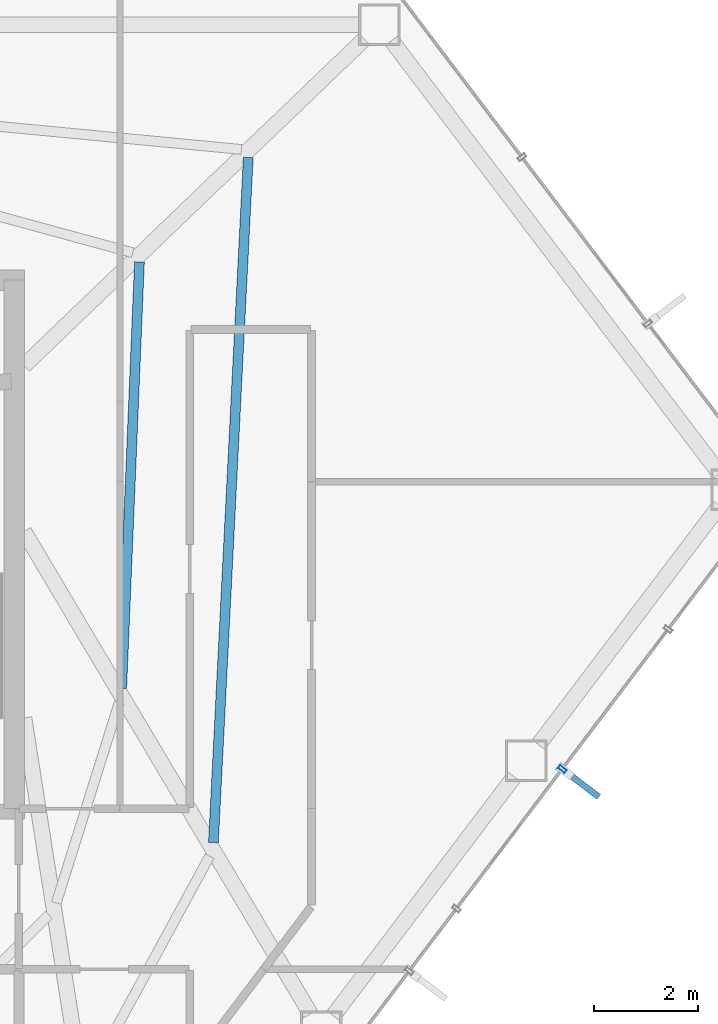
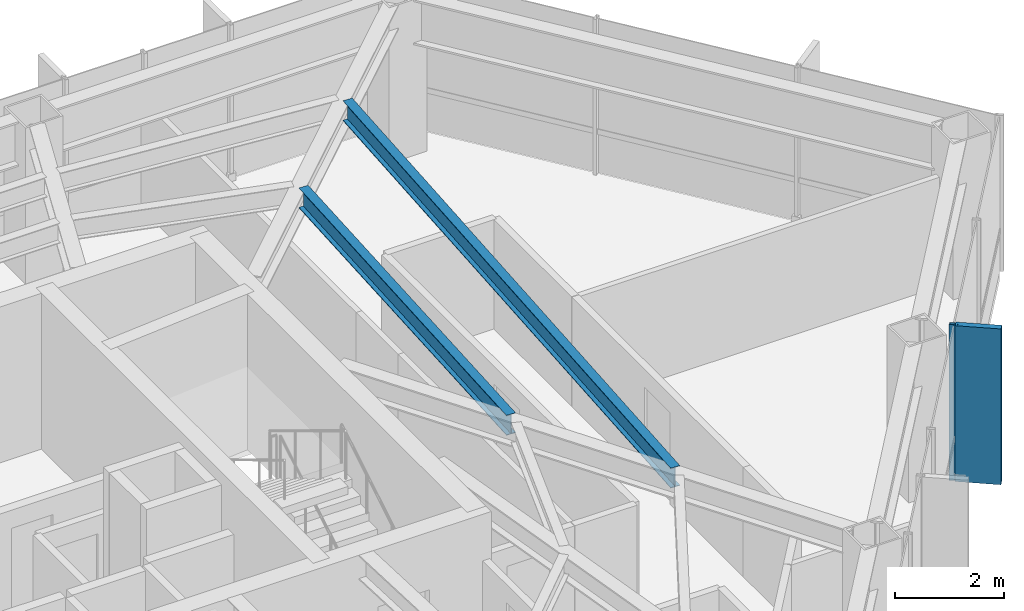
# One storey, part 20 of 28: 2 beams, 2 members, 1 element without a shape of its own.
"""IFC4 building model written with IfcOpenShell, lengths in metres."""

from ifc_helpers import new_model, si_unit, direction, frame, origin, origin_2d, place, context, subcontext, project, spatial, rectangle, hollow_rectangle, i_section, extrude, material, layer, layer_set, material_profile, profile_set, type_object, element, aggregate, save


model = new_model("IFC4")

# Units and contexts
model_context = context("Model", 3, precision=1e-05, world=origin(), true_north=direction((0.0, 1.0)))
body_context = subcontext(model_context, "Body", "Model", "MODEL_VIEW")
ifc_project = project(units=[si_unit("LENGTHUNIT", "METRE"), si_unit("AREAUNIT", "SQUARE_METRE"), si_unit("VOLUMEUNIT", "CUBIC_METRE"), si_unit("PLANEANGLEUNIT", "RADIAN"), si_unit("MASSUNIT", "GRAM", prefix="KILO")], contexts=[model_context])

# Site, building, storey
site_placement = place(None, origin())
site = spatial("IfcSite", under=ifc_project, at=site_placement, CompositionType="ELEMENT")
building_placement = place(site_placement, origin())
building = spatial("IfcBuilding", under=site, at=building_placement, Name="Zarrinselat Tower", CompositionType="ELEMENT")
storey_placement = place(building_placement, frame((0.0, 0.0, 149.60009765625)))
storey = spatial("IfcBuildingStorey", under=building, at=storey_placement, Name="L36", CompositionType="ELEMENT", Elevation=149.60009765625)

# Beams
ifc_material_1 = material(Name="Steel S355J2", Category="steel")
ifc_material_profile_1 = material_profile(ifc_material_1, i_section(OverallWidth=0.18994140625, OverallDepth=0.449951171875, WebThickness=0.009521484375, FlangeThickness=0.0146484375, at=origin_2d()), Name="IPE 450")
ifc_profile_set_1 = profile_set([ifc_material_profile_1], Name="Steel S355J2")
beam_type = type_object("IfcBeamType", Name="BM-IPE450", PredefinedType="JOIST", material=ifc_profile_set_1)
beam_1_placement = place(storey_placement, frame((52.10595703125, 32.59521484375, 3.27490234375), z_axis=(0.050807408392, 0.998708469601, 0.0), x_axis=(-0.998708469601, 0.050807408392, 0.0)))
element("IfcBeam", 1, at=beam_1_placement, inside=storey, type_object=beam_type, Name="L36 Composite Floor Joist 5-1", PredefinedType="JOIST", context=body_context, shape_type="SweptSolid", body=[
    extrude(i_section(OverallWidth=0.18994140625, OverallDepth=0.449951171875, WebThickness=0.009521484375, FlangeThickness=0.0146484375, at=origin_2d()), origin(), (0.0, 0.0, 1.0), 13.2431640625),
])
beam_2_placement = place(storey_placement, frame((50.33544921875, 35.574462890625, 3.27490234375), z_axis=(0.041587392022, 0.999134870188, 0.0), x_axis=(-0.999134870188, 0.041587392022, 0.0)))
element("IfcBeam", 2, at=beam_2_placement, inside=storey, type_object=beam_type, Name="L36 Composite Floor Joist 5-2", PredefinedType="JOIST", context=body_context, shape_type="SweptSolid", body=[
    extrude(i_section(OverallWidth=0.18994140625, OverallDepth=0.449951171875, WebThickness=0.009521484375, FlangeThickness=0.0146484375, at=origin_2d()), origin(), (0.0, 0.0, 1.0), 8.236328125),
])

# Curtain wall, members
ifc_material_2 = material(Name="Extruded Aluminium Alloy EN AW-6063 T6", Category="aluminium")
ifc_layer = layer(ifc_material_2, 0.175048828125)
ifc_layer_set = layer_set([ifc_layer], Name="Extruded Aluminium Alloy EN AW-6063 T6")
curtain_wall_type = type_object("IfcCurtainWallType", Name="CWS-HTL", PredefinedType="NOTDEFINED", material=ifc_layer_set)
curtain_wall_placement = place(storey_placement, origin())
curtain_wall = element("IfcCurtainWall", 3, at=curtain_wall_placement, inside=storey, type_object=curtain_wall_type, Name="L36 Unitised Curtain Wall CW-L36-E05", PredefinedType="NOTDEFINED")
ifc_material_3 = material(Name="Extruded Aluminium Alloy EN AW-6063 T6", Category="aluminium")
ifc_material_profile_2 = material_profile(ifc_material_3, hollow_rectangle(XDim=0.070068359375, YDim=0.159912109375, WallThickness=0.00390625, at=origin_2d()), Name="RHS 160x70x4")
ifc_profile_set_2 = profile_set([ifc_material_profile_2], Name="Extruded Aluminium Alloy EN AW-6063 T6")
member_type_1 = type_object("IfcMemberType", Name="MEM-CW-MUL2", PredefinedType="MULLION", material=ifc_profile_set_2)
member_1_placement = place(storey_placement, frame((58.839111328125, 34.012939453125, 0.0), z_axis=(0.0, 0.0, 1.0), x_axis=(0.603857687995, 0.797092148154, 0.0)))
member_1 = element("IfcMember", 4, at=member_1_placement, type_object=member_type_1, Name="CW-L36-E05 Mullion 7", PredefinedType="MULLION", context=body_context, shape_type="SweptSolid", body=[
    extrude(hollow_rectangle(XDim=0.070068359375, YDim=0.159912109375, WallThickness=0.00390625, at=origin_2d()), origin(), (0.0, 0.0, 1.0), 3.5),
])
ifc_material_4 = material(Name="Honed Cream Travertine Stone", Category="masonry")
ifc_material_profile_3 = material_profile(ifc_material_4, rectangle(XDim=0.1201171875, YDim=0.85009765625, at=origin_2d()), Name="FIN 850x120")
ifc_profile_set_3 = profile_set([ifc_material_profile_3], Name="Honed Cream Travertine Stone")
member_type_2 = type_object("IfcMemberType", Name="MEM-STONE-FIN", PredefinedType="USERDEFINED", material=ifc_profile_set_3)
member_2_placement = place(storey_placement, frame((59.205810546875, 33.735107421875, 0.0), z_axis=(0.0, 0.0, 1.0), x_axis=(-0.603857687995, -0.797092148154, 0.0)))
member_2 = element("IfcMember", 5, at=member_2_placement, type_object=member_type_2, Name="L36 Stone Shading Fin CW-L36-E05-07", ObjectType="FIN", PredefinedType="USERDEFINED", context=body_context, shape_type="SweptSolid", body=[
    extrude(rectangle(XDim=0.1201171875, YDim=0.85009765625, at=origin_2d()), origin(), (0.0, 0.0, 1.0), 3.5),
])
aggregate(curtain_wall, [member_1, member_2])

save(model, "model.ifc")
